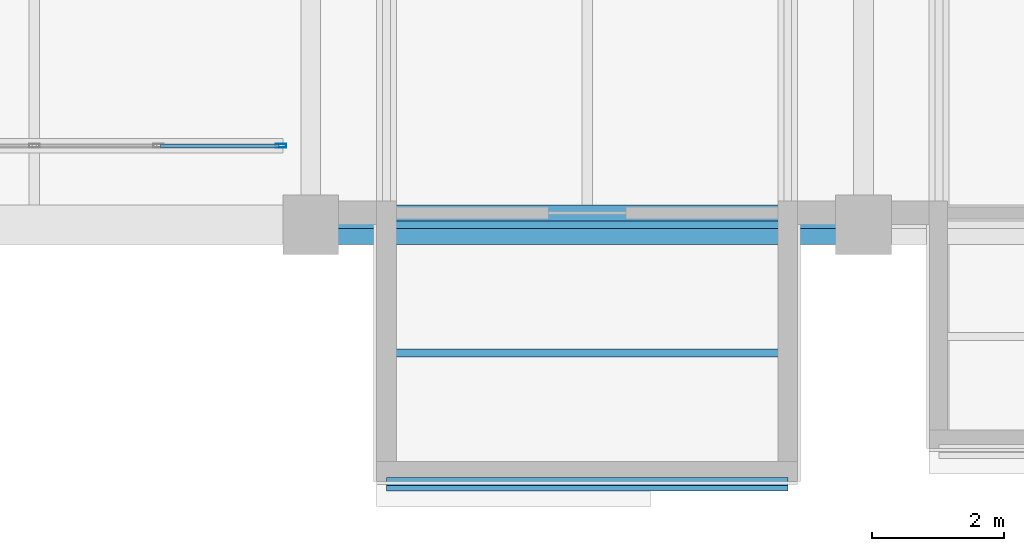
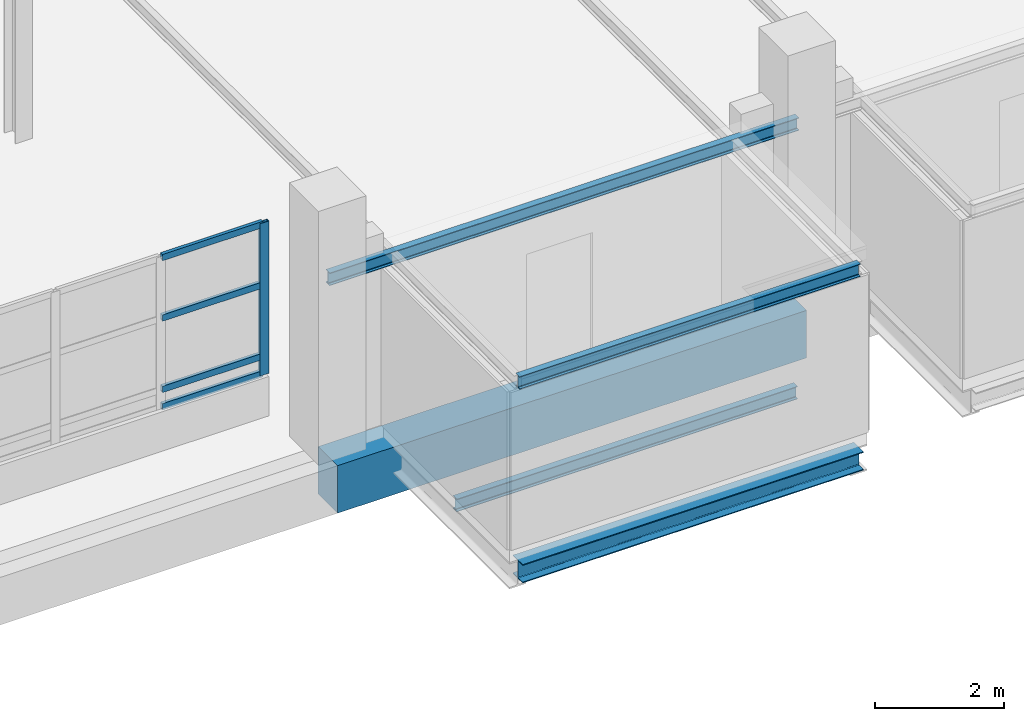
# One storey, part 10 of 29: 5 beams, 5 members, 1 element without a shape of its own.
"""IFC4 building model written with IfcOpenShell, lengths in metres."""

from ifc_helpers import new_model, si_unit, direction, frame, origin, origin_2d, place, context, subcontext, project, spatial, rectangle, hollow_rectangle, i_section, extrude, material, material_profile, profile_set, type_object, element, aggregate, save


model = new_model("IFC4")

# Units and contexts
model_context = context("Model", 3, precision=1e-05, world=origin(), true_north=direction((0.0, 1.0)))
body_context = subcontext(model_context, "Body", "Model", "MODEL_VIEW")
ifc_project = project(units=[si_unit("LENGTHUNIT", "METRE"), si_unit("AREAUNIT", "SQUARE_METRE"), si_unit("VOLUMEUNIT", "CUBIC_METRE"), si_unit("PLANEANGLEUNIT", "RADIAN"), si_unit("MASSUNIT", "GRAM", prefix="KILO")], contexts=[model_context])

# Site, building, storey
site_placement = place(None, origin())
site = spatial("IfcSite", under=ifc_project, at=site_placement, CompositionType="ELEMENT")
building_placement = place(site_placement, origin())
building = spatial("IfcBuilding", under=site, at=building_placement, Name="Veltarok Museum of Natural Sciences", CompositionType="ELEMENT")
storey_placement = place(building_placement, frame((0.0, 0.0, 26.39990234375)))
storey = spatial("IfcBuildingStorey", under=building, at=storey_placement, Name="L05", CompositionType="ELEMENT", Elevation=26.39990234375)

# Beams
ifc_material_1 = material(Name="Steel S355J2", Category="steel")
ifc_material_profile_1 = material_profile(ifc_material_1, i_section(OverallWidth=0.1201171875, OverallDepth=0.239990234375, WebThickness=0.006103515625, FlangeThickness=0.009765625, FilletRadius=0.014892578125, at=origin_2d()), Name="IPE 240")
ifc_profile_set_1 = profile_set([ifc_material_profile_1], Name="Steel S355J2")
beam_type_1 = type_object("IfcBeamType", Name="Cabinet Box Secondary Joist IPE 240", PredefinedType="JOIST", material=ifc_profile_set_1)
beam_1_placement = place(storey_placement, frame((73.60009765625, 0.0, 3.130126953125), z_axis=(1.0, 0.0, 0.0), x_axis=(0.0, 1.0, 0.0)))
element("IfcBeam", 1, at=beam_1_placement, inside=storey, type_object=beam_type_1, Name="Cabinet Roof Tie Beam DB-28-P", PredefinedType="JOIST", context=body_context, shape_type="SweptSolid", body=[
    extrude(i_section(OverallWidth=0.1201171875, OverallDepth=0.239990234375, WebThickness=0.006103515625, FlangeThickness=0.009765625, FilletRadius=0.014892578125, at=origin_2d()), origin(), (0.0, 0.0, 1.0), 8.39990234375),
])
for number, where, z_axis, x_axis, name in (
    (2, (74.75, -3.89990234375, 3.130126953125), (1.0, 0.0, 0.0), (0.0, 1.0, 0.0), "Cabinet Roof Tip Header DB-28"),
    (3, (74.75, -1.949951171875, -0.369873046875), (1.0, 0.0, 0.0), (0.0, 1.0, 0.0), "Cabinet Box Joist DB-28"),
):
    element("IfcBeam", number, at=place(storey_placement, frame(where, z_axis=z_axis, x_axis=x_axis)), inside=storey, type_object=beam_type_1, Name=name, PredefinedType="JOIST", context=body_context, shape_type="SweptSolid", body=[
        extrude(i_section(OverallWidth=0.1201171875, OverallDepth=0.239990234375, WebThickness=0.006103515625, FlangeThickness=0.009765625, FilletRadius=0.014892578125, at=origin_2d()), origin(), (0.0, 0.0, 1.0), 6.10009765625),
    ])
ifc_material_profile_2 = material_profile(ifc_material_1, i_section(OverallWidth=0.300048828125, OverallDepth=0.35009765625, WebThickness=0.010009765625, FlangeThickness=0.017578125, FilletRadius=0.027099609375, at=origin_2d()), Name="HEA 360")
ifc_profile_set_2 = profile_set([ifc_material_profile_2], Name="Steel S355J2")
beam_type_2 = type_object("IfcBeamType", Name="Cabinet Box Tip Header HEA 360", PredefinedType="BEAM", material=ifc_profile_set_2)
beam_2_placement = place(storey_placement, frame((74.75, -3.89990234375, -0.4248046875), z_axis=(1.0, 0.0, 0.0), x_axis=(0.0, 1.0, 0.0)))
element("IfcBeam", 4, at=beam_2_placement, inside=storey, type_object=beam_type_2, Name="Cabinet Tip Header DB-28", PredefinedType="BEAM", context=body_context, shape_type="SweptSolid", body=[
    extrude(i_section(OverallWidth=0.300048828125, OverallDepth=0.35009765625, WebThickness=0.010009765625, FlangeThickness=0.017578125, FilletRadius=0.027099609375, at=origin_2d()), origin(), (0.0, 0.0, 1.0), 6.10009765625),
])

# Curtain wall, members
ifc_material_2 = material(Name="Low-iron triple insulated glass", Category="glass")
curtain_wall_type = type_object("IfcCurtainWallType", Name="Curtain Wall System CW-CAB-L05-A-755x288 (V1 Recessed L05 755x288cm)", PredefinedType="NOTDEFINED", material=ifc_material_2)
curtain_wall_placement = place(storey_placement, origin())
curtain_wall = element("IfcCurtainWall", 5, at=curtain_wall_placement, inside=storey, type_object=curtain_wall_type, Name="Curtain Wall CW-CAB-L05-A-755x288 CW-0009", PredefinedType="NOTDEFINED")
ifc_material_3 = material(Name="Thermally broken anodised aluminium", Category="aluminium")
ifc_material_profile_3 = material_profile(ifc_material_3, hollow_rectangle(XDim=0.06005859375, YDim=0.1201171875, WallThickness=0.0048828125, at=origin_2d()), Name="CW TRANSOM 60x120x5")
ifc_profile_set_3 = profile_set([ifc_material_profile_3], Name="Thermally broken anodised aluminium")
member_type_1 = type_object("IfcMemberType", Name="Curtain Wall Horizontal Transom 60x120x5", PredefinedType="USERDEFINED", material=ifc_profile_set_3)
member_1_placement = place(storey_placement, frame((71.3173828125, 1.199951171875, 0.77001953125), z_axis=(1.0, 0.0, 0.0), x_axis=(0.0, 1.0, 0.0)))
member_1 = element("IfcMember", 6, at=member_1_placement, type_object=member_type_1, Name="CW-CAB-L05-A-755x288 transom 4.1", ObjectType="TRANSOM", PredefinedType="USERDEFINED", context=body_context, shape_type="SweptSolid", body=[
    extrude(hollow_rectangle(XDim=0.06005859375, YDim=0.1201171875, WallThickness=0.0048828125, at=origin_2d()), origin(), (0.0, 0.0, 1.0), 1.797607421875),
])
member_2_placement = place(storey_placement, frame((71.3173828125, 1.199951171875, 1.10009765625), z_axis=(1.0, 0.0, 0.0), x_axis=(0.0, 1.0, 0.0)))
member_2 = element("IfcMember", 7, at=member_2_placement, type_object=member_type_1, Name="CW-CAB-L05-A-755x288 transom 4.2", ObjectType="TRANSOM", PredefinedType="USERDEFINED", context=body_context, shape_type="SweptSolid", body=[
    extrude(hollow_rectangle(XDim=0.06005859375, YDim=0.1201171875, WallThickness=0.0048828125, at=origin_2d()), origin(), (0.0, 0.0, 1.0), 1.797607421875),
])
member_3_placement = place(storey_placement, frame((71.3173828125, 1.199951171875, 2.4501953125), z_axis=(1.0, 0.0, 0.0), x_axis=(0.0, 1.0, 0.0)))
member_3 = element("IfcMember", 8, at=member_3_placement, type_object=member_type_1, Name="CW-CAB-L05-A-755x288 transom 4.3", ObjectType="TRANSOM", PredefinedType="USERDEFINED", context=body_context, shape_type="SweptSolid", body=[
    extrude(hollow_rectangle(XDim=0.06005859375, YDim=0.1201171875, WallThickness=0.0048828125, at=origin_2d()), origin(), (0.0, 0.0, 1.0), 1.797607421875),
])
member_4_placement = place(storey_placement, frame((71.3173828125, 1.199951171875, 3.59521484375), z_axis=(1.0, 0.0, 0.0), x_axis=(0.0, 1.0, 0.0)))
member_4 = element("IfcMember", 9, at=member_4_placement, type_object=member_type_1, Name="CW-CAB-L05-A-755x288 transom 4.4", ObjectType="TRANSOM", PredefinedType="USERDEFINED", context=body_context, shape_type="SweptSolid", body=[
    extrude(hollow_rectangle(XDim=0.06005859375, YDim=0.1201171875, WallThickness=0.0048828125, at=origin_2d()), origin(), (0.0, 0.0, 1.0), 1.797607421875),
])
ifc_material_profile_4 = material_profile(ifc_material_3, hollow_rectangle(XDim=0.06005859375, YDim=0.159912109375, WallThickness=0.0048828125, at=origin_2d()), Name="CW MULLION 60x160x5")
ifc_profile_set_4 = profile_set([ifc_material_profile_4], Name="Thermally broken anodised aluminium")
member_type_2 = type_object("IfcMemberType", Name="Curtain Wall Vertical Mullion 60x160x5", PredefinedType="MULLION", material=ifc_profile_set_4)
member_5_placement = place(storey_placement, frame((73.14501953125, 1.199951171875, 0.739990234375), z_axis=(0.0, 0.0, 1.0), x_axis=(0.0, 1.0, 0.0)))
member_5 = element("IfcMember", 10, at=member_5_placement, type_object=member_type_2, Name="CW-CAB-L05-A-755x288 mullion 5", PredefinedType="MULLION", context=body_context, shape_type="SweptSolid", body=[
    extrude(hollow_rectangle(XDim=0.06005859375, YDim=0.159912109375, WallThickness=0.0048828125, at=origin_2d()), origin(), (0.0, 0.0, 1.0), 2.885009765625),
])
aggregate(curtain_wall, [member_5, member_1, member_2, member_3, member_4])

# Beam
ifc_material_4 = material(Name="Concrete C40/50", Category="concrete")
ifc_material_profile_5 = material_profile(ifc_material_4, rectangle(XDim=0.60009765625, YDim=0.89990234375, at=origin_2d()), Name="RC 600x900")
ifc_profile_set_5 = profile_set([ifc_material_profile_5], Name="Concrete C40/50")
beam_type_3 = type_object("IfcBeamType", Name="Exposed Cabinet Perimeter Spandrel RC 600x900", PredefinedType="SPANDREL", material=ifc_profile_set_5)
beam_3_placement = place(storey_placement, frame((73.60009765625, 0.0, -0.699951171875), z_axis=(1.0, 0.0, 0.0), x_axis=(0.0, 1.0, 0.0)))
element("IfcBeam", 11, at=beam_3_placement, inside=storey, type_object=beam_type_3, Name="Beam BM-SP01 L05 9-10/A", PredefinedType="SPANDREL", context=body_context, shape_type="SweptSolid", body=[
    extrude(rectangle(XDim=0.60009765625, YDim=0.89990234375, at=origin_2d()), origin(), (0.0, 0.0, 1.0), 8.39990234375),
])

save(model, "model.ifc")
